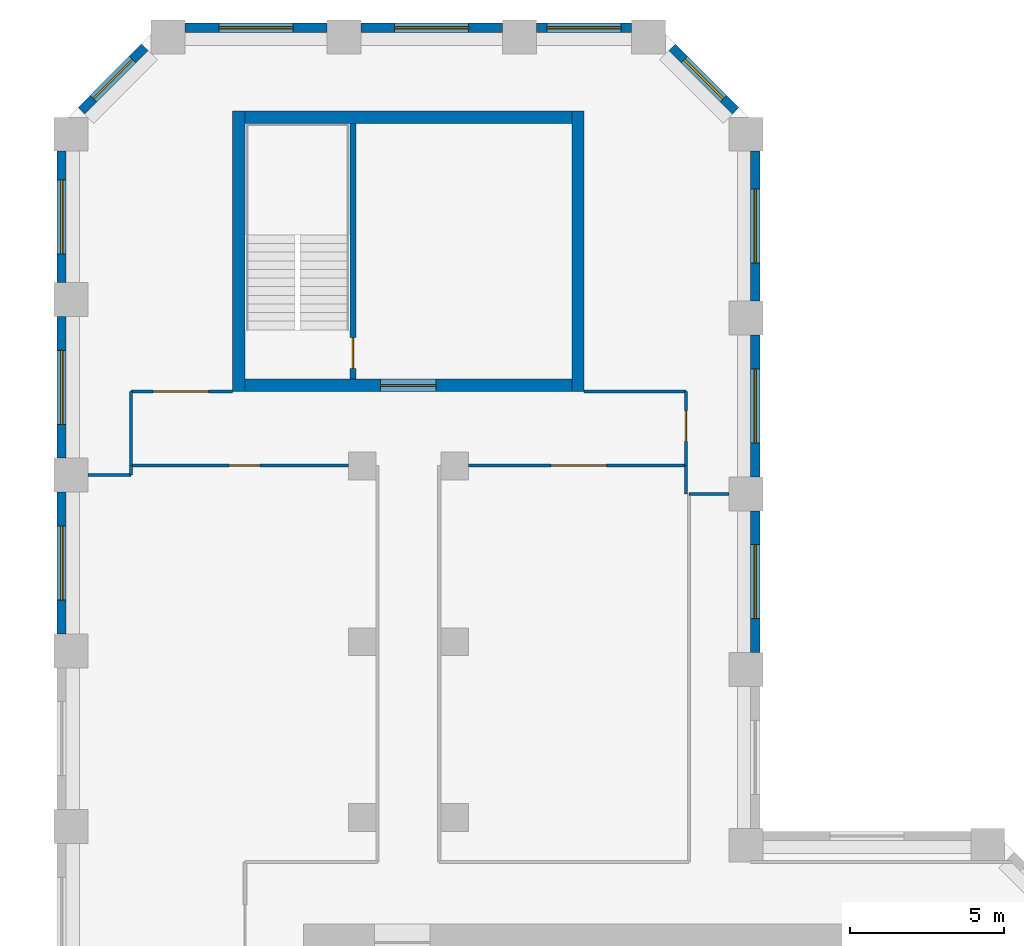
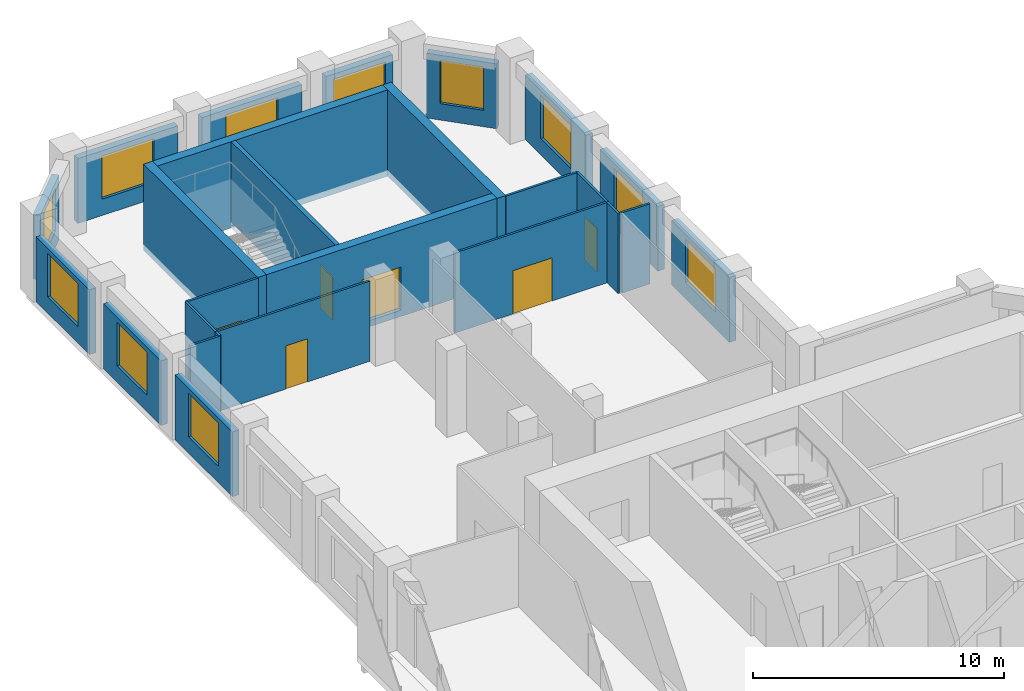
# One storey, part 8 of 10: 26 walls, 11 windows, 6 doors, 17 openings.
"""IFC4 building model written with IfcOpenShell, lengths in metres."""

import ifcopenshell
import ifcopenshell.guid

model = None  # the IFC model being written
_history = None  # IfcOwnerHistory: only IFC2X3 demands one
_inside = {}  # id of a spatial element -> (the spatial element, [elements in it])
_under = {}  # id of a project, library or spatial element -> (it, [spatial elements below it])
_declared = {}  # id of a project -> (the project, [libraries it declares])
_typed = {}  # id of a type object -> (the type object, [elements of that type])
_made_of = {}  # id of a material, layer set ... -> (it, [elements and type objects made of it])


def new_model(schema):
    """Start an empty IFC model of exactly this schema.

    Asked for "IFC4X3", IfcOpenShell would pick the latest addendum, in which some entities
    have other attributes; the version numbers below select the first issue.
    IFC2X3 requires an IfcOwnerHistory on every rooted entity: one is made here for all.
    """
    global model, _history
    if schema == "IFC4X3":
        model = ifcopenshell.file(schema_version=(4, 3, 0, 0))
    else:
        model = ifcopenshell.file(schema=schema)
    _inside.clear()
    _under.clear()
    _declared.clear()
    _typed.clear()
    _made_of.clear()
    _history = None
    if model.schema == "IFC2X3":
        org = make("IfcOrganization", Name="unknown")
        user = make(
            "IfcPersonAndOrganization",
            ThePerson=make("IfcPerson", FamilyName="unknown"),
            TheOrganization=org,
        )
        app = make(
            "IfcApplication",
            ApplicationDeveloper=org,
            Version="unknown",
            ApplicationFullName="unknown",
            ApplicationIdentifier="unknown",
        )
        _history = make(
            "IfcOwnerHistory",
            OwningUser=user,
            OwningApplication=app,
            ChangeAction="ADDED",
            CreationDate=0,
        )
    return model


def make(cls, **values):
    """One entity of the class cls with the attributes given. An attribute that is None is left unset."""
    return model.create_entity(
        cls, **{name: value for name, value in values.items() if value is not None}
    )


def rooted(cls, **values):
    """An entity with a GlobalId (a new one), such as an element, a storey or a relation."""
    return make(cls, GlobalId=ifcopenshell.guid.new(), OwnerHistory=_history, **values)


def si_unit(unit_type, name, prefix=None):
    """IfcSIUnit, for example si_unit("LENGTHUNIT", "METRE", prefix="MILLI")."""
    return make("IfcSIUnit", UnitType=unit_type, Prefix=prefix, Name=name)


def assignment(units):
    """IfcUnitAssignment: the units of a project."""
    return None if units is None else make("IfcUnitAssignment", Units=units)


def point(xyz):
    """IfcCartesianPoint."""
    return None if xyz is None else make("IfcCartesianPoint", Coordinates=xyz)


def direction(xyz):
    """IfcDirection."""
    return None if xyz is None else make("IfcDirection", DirectionRatios=xyz)


def frame(location, z_axis=None, x_axis=None):
    """IfcAxis2Placement3D, a coordinate frame: its origin and axes. An axis left out is left unset."""
    return make(
        "IfcAxis2Placement3D",
        Location=point(location),
        Axis=direction(z_axis),
        RefDirection=direction(x_axis),
    )


def frame_2d(location, x_axis=None):
    """IfcAxis2Placement2D, a coordinate frame in the plane: its origin and x axis."""
    return make(
        "IfcAxis2Placement2D", Location=point(location), RefDirection=direction(x_axis)
    )


def origin():
    """The frame at (0, 0, 0) with its axes left unset."""
    return frame((0.0, 0.0, 0.0))


def place(relative_to, where):
    """IfcLocalPlacement: puts the frame where relative to a parent placement (None: the world)."""
    return make(
        "IfcLocalPlacement", PlacementRelTo=relative_to, RelativePlacement=where
    )


def context(
    kind, dimensions, precision=None, world=None, true_north=None, identifier=None
):
    """IfcGeometricRepresentationContext, for example the 3D "Model" context."""
    return make(
        "IfcGeometricRepresentationContext",
        ContextIdentifier=identifier,
        ContextType=kind,
        CoordinateSpaceDimension=dimensions,
        Precision=precision,
        WorldCoordinateSystem=world,
        TrueNorth=true_north,
    )


def subcontext(parent, identifier, kind, view, scale=None):
    """IfcGeometricRepresentationSubContext, for example "Body" below "Model"."""
    return make(
        "IfcGeometricRepresentationSubContext",
        ContextIdentifier=identifier,
        ContextType=kind,
        ParentContext=parent,
        TargetScale=scale,
        TargetView=view,
    )


def project(units=None, contexts=None):
    """IfcProject with its units and contexts."""
    return rooted(
        "IfcProject",
        Name="project",
        RepresentationContexts=contexts,
        UnitsInContext=assignment(units),
    )


def spatial(cls, under=None, at=None, **own):
    """A site, building, storey or space (cls), placed at a placement, below another one or the project."""
    s = rooted(cls, ObjectPlacement=at, **own)
    if under is not None:
        _under.setdefault(under.id(), (under, []))[1].append(s)
    return s


def profile(cls, at=None, kind="AREA", **sizes):
    """A parametric profile (cls). Its sizes go by their IFC names, for example OverallWidth=200.0."""
    return make(cls, ProfileType=kind, Position=at, **sizes)


def rectangle(**sizes):
    """IfcRectangleProfileDef."""
    return profile("IfcRectangleProfileDef", **sizes)


def extrude(swept, where, along, depth):
    """IfcExtrudedAreaSolid: the profile swept, set in the frame where, extruded along a direction by depth."""
    return make(
        "IfcExtrudedAreaSolid",
        SweptArea=swept,
        Position=where,
        ExtrudedDirection=direction(along),
        Depth=depth,
    )


def shape(context_of_items, identifier, shape_type, items):
    """IfcShapeRepresentation: the items that make up one representation, for example the "Body"."""
    return make(
        "IfcShapeRepresentation",
        ContextOfItems=context_of_items,
        RepresentationIdentifier=identifier,
        RepresentationType=shape_type,
        Items=items,
    )


def material(Name=None, Category=None):
    """IfcMaterial."""
    return make("IfcMaterial", Name=Name, Category=Category)


def layer(
    of_material, thickness, ventilated=None, Name=None, Category=None, Priority=None
):
    """IfcMaterialLayer: one layer of a wall or slab, of a material (None: an air gap)."""
    return make(
        "IfcMaterialLayer",
        Material=of_material,
        LayerThickness=thickness,
        IsVentilated=ventilated,
        Name=Name,
        Category=Category,
        Priority=Priority,
    )


def layer_set(layers, Name=None):
    """IfcMaterialLayerSet."""
    return make("IfcMaterialLayerSet", MaterialLayers=layers, LayerSetName=Name)


def made_of(thing, what):
    """Note that an element or type object is made of a material, layer set ...; save() writes the relation."""
    if what is not None:
        _made_of.setdefault(what.id(), (what, []))[1].append(thing)
    return thing


def type_object(cls, material=None, **own):
    """A type object (cls), such as IfcWallType, which elements share."""
    return made_of(rooted(cls, **own), material)


def element(
    cls,
    number,
    at=None,
    inside=None,
    cuts=None,
    type_object=None,
    material=None,
    context=None,
    identifier="Body",
    shape_type=None,
    held_by="IfcProductDefinitionShape",
    body=None,
    shapes=None,
    **own,
):
    """One element of the class cls, such as IfcWall. Its Tag is "e" and its number.

    at: its placement. inside: the storey or other place that contains it. cuts: it is an
    opening in that element (IfcRelVoidsElement). A single representation is given by context,
    identifier, shape_type and body (its items); several are given by shapes. held_by: the class
    of the entity that holds the representations. save() writes the other relations.
    """
    e = rooted(cls, Tag="e%d" % number, ObjectPlacement=at, **own)
    if body is not None:
        shapes = [shape(context, identifier, shape_type, body)]
    if shapes is not None:
        e.Representation = make(held_by, Representations=shapes)
    if inside is not None:
        _inside.setdefault(inside.id(), (inside, []))[1].append(e)
    if cuts is not None:
        rooted(
            "IfcRelVoidsElement", RelatingBuildingElement=cuts, RelatedOpeningElement=e
        )
    if type_object is not None:
        _typed.setdefault(type_object.id(), (type_object, []))[1].append(e)
    return made_of(e, material)


def fill(opening, filler):
    """IfcRelFillsElement: the door or window that sits in an opening."""
    return rooted(
        "IfcRelFillsElement",
        RelatingOpeningElement=opening,
        RelatedBuildingElement=filler,
    )


def aggregate(whole, parts):
    """IfcRelAggregates: a whole, such as a stair, and the parts it consists of."""
    return rooted("IfcRelAggregates", RelatingObject=whole, RelatedObjects=parts)


def save(model, path):
    """Write the relations noted so far, then the file.

    IfcRelAggregates (storeys below a building ...), IfcRelContainedInSpatialStructure (elements
    in a storey), IfcRelDefinesByType, IfcRelAssociatesMaterial and IfcRelDeclares: one each for
    every whole, place, type object, material and project.
    """
    for whole, parts in _under.values():
        aggregate(whole, parts)
    for where, things in _inside.values():
        rooted(
            "IfcRelContainedInSpatialStructure",
            RelatedElements=things,
            RelatingStructure=where,
        )
    for kind, things in _typed.values():
        rooted("IfcRelDefinesByType", RelatedObjects=things, RelatingType=kind)
    for what, things in _made_of.values():
        rooted("IfcRelAssociatesMaterial", RelatedObjects=things, RelatingMaterial=what)
    for by, libraries in _declared.values():
        rooted("IfcRelDeclares", RelatingContext=by, RelatedDefinitions=libraries)
    model.write(path)


model = new_model("IFC4")

# Units and contexts
model_context = context("Model", 3, precision=1e-05, world=origin(), true_north=direction((0.0, 1.0)))
body_context = subcontext(model_context, "Body", "Model", "MODEL_VIEW")
ifc_project = project(units=[si_unit("LENGTHUNIT", "METRE"), si_unit("AREAUNIT", "SQUARE_METRE"), si_unit("VOLUMEUNIT", "CUBIC_METRE"), si_unit("PLANEANGLEUNIT", "RADIAN"), si_unit("MASSUNIT", "GRAM", prefix="KILO")], contexts=[model_context])

# Site, building, storey
site_placement = place(None, origin())
site = spatial("IfcSite", under=ifc_project, at=site_placement, CompositionType="ELEMENT")
building_placement = place(site_placement, origin())
building = spatial("IfcBuilding", under=site, at=building_placement, Name="Meshkara Civic Tower", CompositionType="ELEMENT")
storey_placement = place(building_placement, frame((0.0, 0.0, 271.800048828125)))
storey = spatial("IfcBuildingStorey", under=building, at=storey_placement, Name="L62", CompositionType="ELEMENT", Elevation=271.800048828125)

# Wall, opening, door
ifc_material_1 = material(Name="Corridor wall 100")
ifc_layer_1 = layer(ifc_material_1, 0.10009765625)
ifc_layer_set_1 = layer_set([ifc_layer_1], Name="Corridor wall 100")
wall_type_1 = type_object("IfcWallType", Name="Corridor wall 100", PredefinedType="PARTITIONING", material=ifc_layer_set_1)
wall_1_placement = place(storey_placement, frame((2.39990234375, 51.77001953125, 0.0), z_axis=(0.0, 0.0, 1.0), x_axis=(1.0, 0.0, 0.0)))
wall_1 = element("IfcWall", 1, at=wall_1_placement, inside=storey, type_object=wall_type_1, Name="L62-W001", PredefinedType="PARTITIONING", context=body_context, shape_type="SweptSolid", body=[
    extrude(rectangle(XDim=7.050048828125, YDim=0.10009765625, at=frame_2d((3.52490234375, 0.0))), origin(), (0.0, 0.0, 1.0), 3.89990234375),
])
opening_1_placement = place(wall_1_placement, frame((3.179931640625, 0.0, 0.0)))
opening_1 = element("IfcOpeningElement", 2, at=opening_1_placement, cuts=wall_1, Name="Opening L62-D021", PredefinedType="OPENING", context=body_context, shape_type="SweptSolid", body=[
    extrude(rectangle(XDim=1.0, YDim=2.10009765625, at=frame_2d((0.5, 1.050048828125))), frame((0.0, 0.06005859375, 0.0), z_axis=(0.0, -1.0, 0.0), x_axis=(1.0, 0.0, 0.0)), (0.0, 0.0, 1.0), 0.1201171875),
])
ifc_material_2 = material(Name="Door 1000 x 2100")
door_type_1 = type_object("IfcDoorType", Name="Door 1000 x 2100", OperationType="SINGLE_SWING_LEFT", PredefinedType="DOOR", material=ifc_material_2)
door_1_placement = place(opening_1_placement, origin())
door_1 = element("IfcDoor", 3, at=door_1_placement, inside=storey, type_object=door_type_1, Name="L62-D021", OperationType="SINGLE_SWING_LEFT", OverallHeight=2.10009765625, OverallWidth=1.0, PredefinedType="DOOR", context=body_context, shape_type="SweptSolid", body=[
    extrude(rectangle(XDim=1.0, YDim=2.10009765625, at=frame_2d((0.5, 1.050048828125))), frame((0.0, 0.02490234375, 0.0), z_axis=(0.0, -1.0, 0.0), x_axis=(1.0, 0.0, 0.0)), (0.0, 0.0, 1.0), 0.050048828125),
])
fill(opening_1, door_1)

# Wall
wall_2_placement = place(storey_placement, frame((2.39990234375, 54.169921875, 0.0), z_axis=(0.0, 0.0, 1.0), x_axis=(0.0, -1.0, 0.0)))
element("IfcWall", 4, at=wall_2_placement, inside=storey, type_object=wall_type_1, Name="L62-W002", PredefinedType="PARTITIONING", context=body_context, shape_type="SweptSolid", body=[
    extrude(rectangle(XDim=2.39990234375, YDim=0.10009765625, at=frame_2d((1.199951171875, 0.0))), origin(), (0.0, 0.0, 1.0), 3.89990234375),
])

# Wall, opening, door
wall_3_placement = place(storey_placement, frame((5.699951171875, 54.169921875, 0.0), z_axis=(0.0, 0.0, 1.0), x_axis=(-1.0, 0.0, 0.0)))
wall_3 = element("IfcWall", 5, at=wall_3_placement, inside=storey, type_object=wall_type_1, Name="L62-W003", PredefinedType="PARTITIONING", context=body_context, shape_type="SweptSolid", body=[
    extrude(rectangle(XDim=3.300048828125, YDim=0.10009765625, at=frame_2d((1.64990234375, 0.0))), origin(), (0.0, 0.0, 1.0), 3.89990234375),
])
opening_2_placement = place(wall_3_placement, frame((0.780029296875, 0.0, 0.0)))
opening_2 = element("IfcOpeningElement", 6, at=opening_2_placement, cuts=wall_3, Name="Opening L62-D024", PredefinedType="OPENING", context=body_context, shape_type="SweptSolid", body=[
    extrude(rectangle(XDim=1.800048828125, YDim=2.10009765625, at=frame_2d((0.89990234375, 1.050048828125))), frame((0.0, 0.06005859375, 0.0), z_axis=(0.0, -1.0, 0.0), x_axis=(1.0, 0.0, 0.0)), (0.0, 0.0, 1.0), 0.1201171875),
])
ifc_material_3 = material(Name="Door pair 1800 x 2100")
door_type_2 = type_object("IfcDoorType", Name="Door pair 1800 x 2100", OperationType="SINGLE_SWING_LEFT", PredefinedType="DOOR", material=ifc_material_3)
door_2_placement = place(opening_2_placement, origin())
door_2 = element("IfcDoor", 7, at=door_2_placement, inside=storey, type_object=door_type_2, Name="L62-D024", OperationType="DOUBLE_DOOR_SINGLE_SWING", OverallHeight=2.10009765625, OverallWidth=1.800048828125, PredefinedType="DOOR", context=body_context, shape_type="SweptSolid", body=[
    extrude(rectangle(XDim=1.800048828125, YDim=2.10009765625, at=frame_2d((0.89990234375, 1.050048828125))), frame((0.0, 0.02490234375, 0.0), z_axis=(0.0, -1.0, 0.0), x_axis=(1.0, 0.0, 0.0)), (0.0, 0.0, 1.0), 0.050048828125),
])
fill(opening_2, door_2)

wall_4_placement = place(storey_placement, frame((13.35009765625, 51.77001953125, 0.0), z_axis=(0.0, 0.0, 1.0), x_axis=(1.0, 0.0, 0.0)))
wall_4 = element("IfcWall", 8, at=wall_4_placement, inside=storey, type_object=wall_type_1, Name="L62-W015", PredefinedType="PARTITIONING", context=body_context, shape_type="SweptSolid", body=[
    extrude(rectangle(XDim=7.0498046875, YDim=0.10009765625, at=frame_2d((3.52490234375, 0.0))), origin(), (0.0, 0.0, 1.0), 3.89990234375),
])
opening_3_placement = place(wall_4_placement, frame((2.679931640625, 0.0, 0.0)))
opening_3 = element("IfcOpeningElement", 9, at=opening_3_placement, cuts=wall_4, Name="Opening L62-D022", PredefinedType="OPENING", context=body_context, shape_type="SweptSolid", body=[
    extrude(rectangle(XDim=1.800048828125, YDim=2.10009765625, at=frame_2d((0.89990234375, 1.050048828125))), frame((0.0, 0.06005859375, 0.0), z_axis=(0.0, -1.0, 0.0), x_axis=(1.0, 0.0, 0.0)), (0.0, 0.0, 1.0), 0.1201171875),
])
door_3_placement = place(opening_3_placement, origin())
door_3 = element("IfcDoor", 10, at=door_3_placement, inside=storey, type_object=door_type_2, Name="L62-D022", OperationType="DOUBLE_DOOR_SINGLE_SWING", OverallHeight=2.10009765625, OverallWidth=1.800048828125, PredefinedType="DOOR", context=body_context, shape_type="SweptSolid", body=[
    extrude(rectangle(XDim=1.800048828125, YDim=2.10009765625, at=frame_2d((0.89990234375, 1.050048828125))), frame((0.0, 0.02490234375, 0.0), z_axis=(0.0, -1.0, 0.0), x_axis=(1.0, 0.0, 0.0)), (0.0, 0.0, 1.0), 0.050048828125),
])
fill(opening_3, door_3)

wall_5_placement = place(storey_placement, frame((20.39990234375, 51.77001953125, 0.0), z_axis=(0.0, 0.0, 1.0), x_axis=(0.0, 1.0, 0.0)))
wall_5 = element("IfcWall", 11, at=wall_5_placement, inside=storey, type_object=wall_type_1, Name="L62-W016", PredefinedType="PARTITIONING", context=body_context, shape_type="SweptSolid", body=[
    extrude(rectangle(XDim=2.39990234375, YDim=0.10009765625, at=frame_2d((1.199951171875, 0.0))), origin(), (0.0, 0.0, 1.0), 3.89990234375),
])
opening_4_placement = place(wall_5_placement, frame((0.780029296875, 0.0, 0.0)))
opening_4 = element("IfcOpeningElement", 12, at=opening_4_placement, cuts=wall_5, Name="Opening L62-D023", PredefinedType="OPENING", context=body_context, shape_type="SweptSolid", body=[
    extrude(rectangle(XDim=1.0, YDim=2.10009765625, at=frame_2d((0.5, 1.050048828125))), frame((0.0, 0.06005859375, 0.0), z_axis=(0.0, -1.0, 0.0), x_axis=(1.0, 0.0, 0.0)), (0.0, 0.0, 1.0), 0.1201171875),
])
door_4_placement = place(opening_4_placement, origin())
door_4 = element("IfcDoor", 13, at=door_4_placement, inside=storey, type_object=door_type_1, Name="L62-D023", OperationType="SINGLE_SWING_LEFT", OverallHeight=2.10009765625, OverallWidth=1.0, PredefinedType="DOOR", context=body_context, shape_type="SweptSolid", body=[
    extrude(rectangle(XDim=1.0, YDim=2.10009765625, at=frame_2d((0.5, 1.050048828125))), frame((0.0, 0.02490234375, 0.0), z_axis=(0.0, -1.0, 0.0), x_axis=(1.0, 0.0, 0.0)), (0.0, 0.0, 1.0), 0.050048828125),
])
fill(opening_4, door_4)

# Walls
wall_6_placement = place(storey_placement, frame((20.39990234375, 54.169921875, 0.0), z_axis=(0.0, 0.0, 1.0), x_axis=(-1.0, 0.0, 0.0)))
element("IfcWall", 14, at=wall_6_placement, inside=storey, type_object=wall_type_1, Name="L62-W017", PredefinedType="PARTITIONING", context=body_context, shape_type="SweptSolid", body=[
    extrude(rectangle(XDim=3.2998046875, YDim=0.10009765625, at=frame_2d((1.64990234375, 0.0))), origin(), (0.0, 0.0, 1.0), 3.89990234375),
])
wall_7_placement = place(storey_placement, frame((21.800048828125, 50.85009765625, 0.0), z_axis=(0.0, 0.0, 1.0), x_axis=(-1.0, 0.0, 0.0)))
element("IfcWall", 15, at=wall_7_placement, inside=storey, type_object=wall_type_1, Name="L62-W020", PredefinedType="PARTITIONING", context=body_context, shape_type="SweptSolid", body=[
    extrude(rectangle(XDim=1.300048828125, YDim=0.10009765625, at=frame_2d((0.64990234375, 0.0))), origin(), (0.0, 0.0, 1.0), 3.89990234375),
])

# Wall, opening, window
ifc_material_4 = material(Name="Insulated infill panel with bronze anodised aluminium cladding", Category="aluminium")
ifc_layer_2 = layer(ifc_material_4, 0.300048828125)
ifc_layer_set_2 = layer_set([ifc_layer_2], Name="EXTERNAL INFILL WALL 300")
wall_type_2 = type_object("IfcWallType", Name="EXTERNAL INFILL WALL 300", PredefinedType="SOLIDWALL", material=ifc_layer_set_2)
wall_8_placement = place(storey_placement, frame((22.64990234375, 45.699951171875, 0.0), z_axis=(0.0, 0.0, 1.0), x_axis=(0.0, 1.0, 0.0)))
wall_8 = element("IfcWall", 16, at=wall_8_placement, inside=storey, type_object=wall_type_2, Name="External wall", PredefinedType="SOLIDWALL", context=body_context, shape_type="SweptSolid", body=[
    extrude(rectangle(XDim=4.60009765625, YDim=0.300048828125, at=frame_2d((2.300048828125, 0.0))), origin(), (0.0, 0.0, 1.0), 3.14990234375),
])
opening_5_placement = place(wall_8_placement, frame((1.10009765625, 0.0, 0.800048828125)))
opening_5 = element("IfcOpeningElement", 17, at=opening_5_placement, cuts=wall_8, Name="Opening W7", PredefinedType="OPENING", context=body_context, shape_type="SweptSolid", body=[
    extrude(rectangle(XDim=2.39990234375, YDim=2.10009765625, at=frame_2d((1.199951171875, 1.050048828125))), frame((0.0, 0.159912109375, 0.0), z_axis=(0.0, -1.0, 0.0), x_axis=(1.0, 0.0, 0.0)), (0.0, 0.0, 1.0), 0.320068359375),
])
ifc_material_5 = material(Name="Tinted double glazing", Category="glass")
window_type_1 = type_object("IfcWindowType", Name="WINDOW 2400x2100", PartitioningType="DOUBLE_PANEL_VERTICAL", PredefinedType="WINDOW", material=ifc_material_5)
window_1_placement = place(opening_5_placement, origin())
window_1 = element("IfcWindow", 18, at=window_1_placement, inside=storey, type_object=window_type_1, Name="Window", OverallHeight=2.10009765625, OverallWidth=2.39990234375, PartitioningType="DOUBLE_PANEL_VERTICAL", PredefinedType="WINDOW", context=body_context, shape_type="SweptSolid", body=[
    extrude(rectangle(XDim=2.39990234375, YDim=2.10009765625, at=frame_2d((1.199951171875, 1.050048828125))), frame((0.0, 0.030029296875, 0.0), z_axis=(0.0, -1.0, 0.0), x_axis=(1.0, 0.0, 0.0)), (0.0, 0.0, 1.0), 0.06005859375),
])
fill(opening_5, window_1)

wall_9_placement = place(storey_placement, frame((22.64990234375, 51.39990234375, 0.0), z_axis=(0.0, 0.0, 1.0), x_axis=(0.0, 1.0, 0.0)))
wall_9 = element("IfcWall", 19, at=wall_9_placement, inside=storey, type_object=wall_type_2, Name="External wall", PredefinedType="SOLIDWALL", context=body_context, shape_type="SweptSolid", body=[
    extrude(rectangle(XDim=4.60009765625, YDim=0.300048828125, at=frame_2d((2.300048828125, 0.0))), origin(), (0.0, 0.0, 1.0), 3.14990234375),
])
opening_6_placement = place(wall_9_placement, frame((1.10009765625, 0.0, 0.800048828125)))
opening_6 = element("IfcOpeningElement", 20, at=opening_6_placement, cuts=wall_9, Name="Opening W7", PredefinedType="OPENING", context=body_context, shape_type="SweptSolid", body=[
    extrude(rectangle(XDim=2.39990234375, YDim=2.10009765625, at=frame_2d((1.199951171875, 1.050048828125))), frame((0.0, 0.159912109375, 0.0), z_axis=(0.0, -1.0, 0.0), x_axis=(1.0, 0.0, 0.0)), (0.0, 0.0, 1.0), 0.320068359375),
])
window_2_placement = place(opening_6_placement, origin())
window_2 = element("IfcWindow", 21, at=window_2_placement, inside=storey, type_object=window_type_1, Name="Window", OverallHeight=2.10009765625, OverallWidth=2.39990234375, PartitioningType="DOUBLE_PANEL_VERTICAL", PredefinedType="WINDOW", context=body_context, shape_type="SweptSolid", body=[
    extrude(rectangle(XDim=2.39990234375, YDim=2.10009765625, at=frame_2d((1.199951171875, 1.050048828125))), frame((0.0, 0.030029296875, 0.0), z_axis=(0.0, -1.0, 0.0), x_axis=(1.0, 0.0, 0.0)), (0.0, 0.0, 1.0), 0.06005859375),
])
fill(opening_6, window_2)

wall_10_placement = place(storey_placement, frame((22.64990234375, 57.10009765625, 0.0), z_axis=(0.0, 0.0, 1.0), x_axis=(0.0, 1.0, 0.0)))
wall_10 = element("IfcWall", 22, at=wall_10_placement, inside=storey, type_object=wall_type_2, Name="External wall", PredefinedType="SOLIDWALL", context=body_context, shape_type="SweptSolid", body=[
    extrude(rectangle(XDim=4.864013671875, YDim=0.300048828125, at=frame_2d((2.43212890625, 0.0))), origin(), (0.0, 0.0, 1.0), 3.14990234375),
])
opening_7_placement = place(wall_10_placement, frame((1.23193359375, 0.0, 0.800048828125)))
opening_7 = element("IfcOpeningElement", 23, at=opening_7_placement, cuts=wall_10, Name="Opening W7", PredefinedType="OPENING", context=body_context, shape_type="SweptSolid", body=[
    extrude(rectangle(XDim=2.39990234375, YDim=2.10009765625, at=frame_2d((1.199951171875, 1.050048828125))), frame((0.0, 0.159912109375, 0.0), z_axis=(0.0, -1.0, 0.0), x_axis=(1.0, 0.0, 0.0)), (0.0, 0.0, 1.0), 0.320068359375),
])
window_3_placement = place(opening_7_placement, origin())
window_3 = element("IfcWindow", 24, at=window_3_placement, inside=storey, type_object=window_type_1, Name="Window", OverallHeight=2.10009765625, OverallWidth=2.39990234375, PartitioningType="DOUBLE_PANEL_VERTICAL", PredefinedType="WINDOW", context=body_context, shape_type="SweptSolid", body=[
    extrude(rectangle(XDim=2.39990234375, YDim=2.10009765625, at=frame_2d((1.199951171875, 1.050048828125))), frame((0.0, 0.030029296875, 0.0), z_axis=(0.0, -1.0, 0.0), x_axis=(1.0, 0.0, 0.0)), (0.0, 0.0, 1.0), 0.06005859375),
])
fill(opening_7, window_3)

wall_11_placement = place(storey_placement, frame((22.011962890625, 63.27587890625, 0.0), z_axis=(0.0, 0.0, 1.0), x_axis=(-0.707064797706, 0.707148762175, 0.0)))
wall_11 = element("IfcWall", 25, at=wall_11_placement, inside=storey, type_object=wall_type_2, Name="External wall", PredefinedType="SOLIDWALL", context=body_context, shape_type="SweptSolid", body=[
    extrude(rectangle(XDim=2.90771484375, YDim=0.300048828125, at=frame_2d((1.453857421875, 0.0))), origin(), (0.0, 0.0, 1.0), 3.14990234375),
])
opening_8_placement = place(wall_11_placement, frame((0.553955078125, 0.0, 0.800048828125)))
opening_8 = element("IfcOpeningElement", 26, at=opening_8_placement, cuts=wall_11, Name="Opening W9", PredefinedType="OPENING", context=body_context, shape_type="SweptSolid", body=[
    extrude(rectangle(XDim=1.800048828125, YDim=2.10009765625, at=frame_2d((0.89990234375, 1.050048828125))), frame((0.0, 0.159912109375, 0.0), z_axis=(0.0, -1.0, 0.0), x_axis=(1.0, 0.0, 0.0)), (0.0, 0.0, 1.0), 0.320068359375),
])
ifc_material_6 = material(Name="Tinted double glazing", Category="glass")
window_type_2 = type_object("IfcWindowType", Name="WINDOW 1800x2100", PartitioningType="DOUBLE_PANEL_VERTICAL", PredefinedType="WINDOW", material=ifc_material_6)
window_4_placement = place(opening_8_placement, origin())
window_4 = element("IfcWindow", 27, at=window_4_placement, inside=storey, type_object=window_type_2, Name="Window", OverallHeight=2.10009765625, OverallWidth=1.800048828125, PartitioningType="DOUBLE_PANEL_VERTICAL", PredefinedType="WINDOW", context=body_context, shape_type="SweptSolid", body=[
    extrude(rectangle(XDim=1.800048828125, YDim=2.10009765625, at=frame_2d((0.89990234375, 1.050048828125))), frame((0.0, 0.030029296875, 0.0), z_axis=(0.0, -1.0, 0.0), x_axis=(1.0, 0.0, 0.0)), (0.0, 0.0, 1.0), 0.06005859375),
])
fill(opening_8, window_4)

wall_12_placement = place(storey_placement, frame((18.64404296875, 65.969970703125, 0.0), z_axis=(0.0, 0.0, 1.0), x_axis=(-1.0, 0.0, 0.0)))
wall_12 = element("IfcWall", 28, at=wall_12_placement, inside=storey, type_object=wall_type_2, Name="External wall", PredefinedType="SOLIDWALL", context=body_context, shape_type="SweptSolid", body=[
    extrude(rectangle(XDim=3.088134765625, YDim=0.300048828125, at=frame_2d((1.5439453125, 0.0))), origin(), (0.0, 0.0, 1.0), 3.14990234375),
])
opening_9_placement = place(wall_12_placement, frame((0.343994140625, 0.0, 0.800048828125)))
opening_9 = element("IfcOpeningElement", 29, at=opening_9_placement, cuts=wall_12, Name="Opening W7", PredefinedType="OPENING", context=body_context, shape_type="SweptSolid", body=[
    extrude(rectangle(XDim=2.39990234375, YDim=2.10009765625, at=frame_2d((1.199951171875, 1.050048828125))), frame((0.0, 0.159912109375, 0.0), z_axis=(0.0, -1.0, 0.0), x_axis=(1.0, 0.0, 0.0)), (0.0, 0.0, 1.0), 0.320068359375),
])
window_5_placement = place(opening_9_placement, origin())
window_5 = element("IfcWindow", 30, at=window_5_placement, inside=storey, type_object=window_type_1, Name="Window", OverallHeight=2.10009765625, OverallWidth=2.39990234375, PartitioningType="DOUBLE_PANEL_VERTICAL", PredefinedType="WINDOW", context=body_context, shape_type="SweptSolid", body=[
    extrude(rectangle(XDim=2.39990234375, YDim=2.10009765625, at=frame_2d((1.199951171875, 1.050048828125))), frame((0.0, 0.030029296875, 0.0), z_axis=(0.0, -1.0, 0.0), x_axis=(1.0, 0.0, 0.0)), (0.0, 0.0, 1.0), 0.06005859375),
])
fill(opening_9, window_5)

wall_13_placement = place(storey_placement, frame((14.4560546875, 65.969970703125, 0.0), z_axis=(0.0, 0.0, 1.0), x_axis=(-1.0, 0.0, 0.0)))
wall_13 = element("IfcWall", 31, at=wall_13_placement, inside=storey, type_object=wall_type_2, Name="External wall", PredefinedType="SOLIDWALL", context=body_context, shape_type="SweptSolid", body=[
    extrude(rectangle(XDim=4.60009765625, YDim=0.300048828125, at=frame_2d((2.300048828125, 0.0))), origin(), (0.0, 0.0, 1.0), 3.14990234375),
])
opening_10_placement = place(wall_13_placement, frame((1.10009765625, 0.0, 0.800048828125)))
opening_10 = element("IfcOpeningElement", 32, at=opening_10_placement, cuts=wall_13, Name="Opening W7", PredefinedType="OPENING", context=body_context, shape_type="SweptSolid", body=[
    extrude(rectangle(XDim=2.39990234375, YDim=2.10009765625, at=frame_2d((1.199951171875, 1.050048828125))), frame((0.0, 0.159912109375, 0.0), z_axis=(0.0, -1.0, 0.0), x_axis=(1.0, 0.0, 0.0)), (0.0, 0.0, 1.0), 0.320068359375),
])
window_6_placement = place(opening_10_placement, origin())
window_6 = element("IfcWindow", 33, at=window_6_placement, inside=storey, type_object=window_type_1, Name="Window", OverallHeight=2.10009765625, OverallWidth=2.39990234375, PartitioningType="DOUBLE_PANEL_VERTICAL", PredefinedType="WINDOW", context=body_context, shape_type="SweptSolid", body=[
    extrude(rectangle(XDim=2.39990234375, YDim=2.10009765625, at=frame_2d((1.199951171875, 1.050048828125))), frame((0.0, 0.030029296875, 0.0), z_axis=(0.0, -1.0, 0.0), x_axis=(1.0, 0.0, 0.0)), (0.0, 0.0, 1.0), 0.06005859375),
])
fill(opening_10, window_6)

wall_14_placement = place(storey_placement, frame((8.756103515625, 65.969970703125, 0.0), z_axis=(0.0, 0.0, 1.0), x_axis=(-1.0, 0.0, 0.0)))
wall_14 = element("IfcWall", 34, at=wall_14_placement, inside=storey, type_object=wall_type_2, Name="External wall", PredefinedType="SOLIDWALL", context=body_context, shape_type="SweptSolid", body=[
    extrude(rectangle(XDim=4.60009765625, YDim=0.300048828125, at=frame_2d((2.300048828125, 0.0))), origin(), (0.0, 0.0, 1.0), 3.14990234375),
])
opening_11_placement = place(wall_14_placement, frame((1.10009765625, 0.0, 0.800048828125)))
opening_11 = element("IfcOpeningElement", 35, at=opening_11_placement, cuts=wall_14, Name="Opening W7", PredefinedType="OPENING", context=body_context, shape_type="SweptSolid", body=[
    extrude(rectangle(XDim=2.39990234375, YDim=2.10009765625, at=frame_2d((1.199951171875, 1.050048828125))), frame((0.0, 0.159912109375, 0.0), z_axis=(0.0, -1.0, 0.0), x_axis=(1.0, 0.0, 0.0)), (0.0, 0.0, 1.0), 0.320068359375),
])
window_7_placement = place(opening_11_placement, origin())
window_7 = element("IfcWindow", 36, at=window_7_placement, inside=storey, type_object=window_type_1, Name="Window", OverallHeight=2.10009765625, OverallWidth=2.39990234375, PartitioningType="DOUBLE_PANEL_VERTICAL", PredefinedType="WINDOW", context=body_context, shape_type="SweptSolid", body=[
    extrude(rectangle(XDim=2.39990234375, YDim=2.10009765625, at=frame_2d((1.199951171875, 1.050048828125))), frame((0.0, 0.030029296875, 0.0), z_axis=(0.0, -1.0, 0.0), x_axis=(1.0, 0.0, 0.0)), (0.0, 0.0, 1.0), 0.06005859375),
])
fill(opening_11, window_7)

wall_15_placement = place(storey_placement, frame((2.843994140625, 65.33203125, 0.0), z_axis=(0.0, 0.0, 1.0), x_axis=(-0.707064797706, -0.707148762175, 0.0)))
wall_15 = element("IfcWall", 37, at=wall_15_placement, inside=storey, type_object=wall_type_2, Name="External wall", PredefinedType="SOLIDWALL", context=body_context, shape_type="SweptSolid", body=[
    extrude(rectangle(XDim=2.90771484375, YDim=0.300048828125, at=frame_2d((1.453857421875, 0.0))), origin(), (0.0, 0.0, 1.0), 3.14990234375),
])
opening_12_placement = place(wall_15_placement, frame((0.553955078125, 0.0, 0.800048828125)))
opening_12 = element("IfcOpeningElement", 38, at=opening_12_placement, cuts=wall_15, Name="Opening W9", PredefinedType="OPENING", context=body_context, shape_type="SweptSolid", body=[
    extrude(rectangle(XDim=1.800048828125, YDim=2.10009765625, at=frame_2d((0.89990234375, 1.050048828125))), frame((0.0, 0.159912109375, 0.0), z_axis=(0.0, -1.0, 0.0), x_axis=(1.0, 0.0, 0.0)), (0.0, 0.0, 1.0), 0.320068359375),
])
window_8_placement = place(opening_12_placement, origin())
window_8 = element("IfcWindow", 39, at=window_8_placement, inside=storey, type_object=window_type_2, Name="Window", OverallHeight=2.10009765625, OverallWidth=1.800048828125, PartitioningType="DOUBLE_PANEL_VERTICAL", PredefinedType="WINDOW", context=body_context, shape_type="SweptSolid", body=[
    extrude(rectangle(XDim=1.800048828125, YDim=2.10009765625, at=frame_2d((0.89990234375, 1.050048828125))), frame((0.0, 0.030029296875, 0.0), z_axis=(0.0, -1.0, 0.0), x_axis=(1.0, 0.0, 0.0)), (0.0, 0.0, 1.0), 0.06005859375),
])
fill(opening_12, window_8)

wall_16_placement = place(storey_placement, frame((0.14990234375, 61.964111328125, 0.0), z_axis=(0.0, 0.0, 1.0), x_axis=(0.0, -1.0, 0.0)))
wall_16 = element("IfcWall", 40, at=wall_16_placement, inside=storey, type_object=wall_type_2, Name="External wall", PredefinedType="SOLIDWALL", context=body_context, shape_type="SweptSolid", body=[
    extrude(rectangle(XDim=4.259033203125, YDim=0.300048828125, at=frame_2d((2.12939453125, 0.0))), origin(), (0.0, 0.0, 1.0), 3.14990234375),
])
opening_13_placement = place(wall_16_placement, frame((0.929931640625, 0.0, 0.800048828125)))
opening_13 = element("IfcOpeningElement", 41, at=opening_13_placement, cuts=wall_16, Name="Opening W7", PredefinedType="OPENING", context=body_context, shape_type="SweptSolid", body=[
    extrude(rectangle(XDim=2.39990234375, YDim=2.10009765625, at=frame_2d((1.199951171875, 1.050048828125))), frame((0.0, 0.159912109375, 0.0), z_axis=(0.0, -1.0, 0.0), x_axis=(1.0, 0.0, 0.0)), (0.0, 0.0, 1.0), 0.320068359375),
])
window_9_placement = place(opening_13_placement, origin())
window_9 = element("IfcWindow", 42, at=window_9_placement, inside=storey, type_object=window_type_1, Name="Window", OverallHeight=2.10009765625, OverallWidth=2.39990234375, PartitioningType="DOUBLE_PANEL_VERTICAL", PredefinedType="WINDOW", context=body_context, shape_type="SweptSolid", body=[
    extrude(rectangle(XDim=2.39990234375, YDim=2.10009765625, at=frame_2d((1.199951171875, 1.050048828125))), frame((0.0, 0.030029296875, 0.0), z_axis=(0.0, -1.0, 0.0), x_axis=(1.0, 0.0, 0.0)), (0.0, 0.0, 1.0), 0.06005859375),
])
fill(opening_13, window_9)

wall_17_placement = place(storey_placement, frame((0.14990234375, 56.60498046875, 0.0), z_axis=(0.0, 0.0, 1.0), x_axis=(0.0, -1.0, 0.0)))
wall_17 = element("IfcWall", 43, at=wall_17_placement, inside=storey, type_object=wall_type_2, Name="External wall", PredefinedType="SOLIDWALL", context=body_context, shape_type="SweptSolid", body=[
    extrude(rectangle(XDim=4.60009765625, YDim=0.300048828125, at=frame_2d((2.300048828125, 0.0))), origin(), (0.0, 0.0, 1.0), 3.14990234375),
])
opening_14_placement = place(wall_17_placement, frame((1.10009765625, 0.0, 0.800048828125)))
opening_14 = element("IfcOpeningElement", 44, at=opening_14_placement, cuts=wall_17, Name="Opening W7", PredefinedType="OPENING", context=body_context, shape_type="SweptSolid", body=[
    extrude(rectangle(XDim=2.39990234375, YDim=2.10009765625, at=frame_2d((1.199951171875, 1.050048828125))), frame((0.0, 0.159912109375, 0.0), z_axis=(0.0, -1.0, 0.0), x_axis=(1.0, 0.0, 0.0)), (0.0, 0.0, 1.0), 0.320068359375),
])
window_10_placement = place(opening_14_placement, origin())
window_10 = element("IfcWindow", 45, at=window_10_placement, inside=storey, type_object=window_type_1, Name="Window", OverallHeight=2.10009765625, OverallWidth=2.39990234375, PartitioningType="DOUBLE_PANEL_VERTICAL", PredefinedType="WINDOW", context=body_context, shape_type="SweptSolid", body=[
    extrude(rectangle(XDim=2.39990234375, YDim=2.10009765625, at=frame_2d((1.199951171875, 1.050048828125))), frame((0.0, 0.030029296875, 0.0), z_axis=(0.0, -1.0, 0.0), x_axis=(1.0, 0.0, 0.0)), (0.0, 0.0, 1.0), 0.06005859375),
])
fill(opening_14, window_10)

wall_18_placement = place(storey_placement, frame((0.14990234375, 50.905029296875, 0.0), z_axis=(0.0, 0.0, 1.0), x_axis=(0.0, -1.0, 0.0)))
wall_18 = element("IfcWall", 46, at=wall_18_placement, inside=storey, type_object=wall_type_2, Name="External wall", PredefinedType="SOLIDWALL", context=body_context, shape_type="SweptSolid", body=[
    extrude(rectangle(XDim=4.60009765625, YDim=0.300048828125, at=frame_2d((2.300048828125, 0.0))), origin(), (0.0, 0.0, 1.0), 3.14990234375),
])
opening_15_placement = place(wall_18_placement, frame((1.10009765625, 0.0, 0.800048828125)))
opening_15 = element("IfcOpeningElement", 47, at=opening_15_placement, cuts=wall_18, Name="Opening W7", PredefinedType="OPENING", context=body_context, shape_type="SweptSolid", body=[
    extrude(rectangle(XDim=2.39990234375, YDim=2.10009765625, at=frame_2d((1.199951171875, 1.050048828125))), frame((0.0, 0.159912109375, 0.0), z_axis=(0.0, -1.0, 0.0), x_axis=(1.0, 0.0, 0.0)), (0.0, 0.0, 1.0), 0.320068359375),
])
window_11_placement = place(opening_15_placement, origin())
window_11 = element("IfcWindow", 48, at=window_11_placement, inside=storey, type_object=window_type_1, Name="Window", OverallHeight=2.10009765625, OverallWidth=2.39990234375, PartitioningType="DOUBLE_PANEL_VERTICAL", PredefinedType="WINDOW", context=body_context, shape_type="SweptSolid", body=[
    extrude(rectangle(XDim=2.39990234375, YDim=2.10009765625, at=frame_2d((1.199951171875, 1.050048828125))), frame((0.0, 0.030029296875, 0.0), z_axis=(0.0, -1.0, 0.0), x_axis=(1.0, 0.0, 0.0)), (0.0, 0.0, 1.0), 0.06005859375),
])
fill(opening_15, window_11)

# Walls
ifc_material_7 = material(Name="Concrete C60", Category="concrete")
ifc_layer_3 = layer(ifc_material_7, 0.39990234375)
ifc_layer_set_3 = layer_set([ifc_layer_3], Name="End core ring wall 400 C60")
wall_type_3 = type_object("IfcWallType", Name="End core ring wall 400 C60", PredefinedType="SHEAR", material=ifc_layer_set_3)
for number, where, z_axis, x_axis, name in (
    (49, (5.89990234375, 54.169921875, -0.300048828125), (0.0, 0.0, 1.0), (0.0, 1.0, 0.0), "L62-C022"),
    (50, (16.89990234375, 54.169921875, -0.300048828125), (0.0, 0.0, 1.0), (0.0, 1.0, 0.0), "L62-C023"),
):
    element("IfcWall", number, at=place(storey_placement, frame(where, z_axis=z_axis, x_axis=x_axis)), inside=storey, type_object=wall_type_3, Name=name, PredefinedType="SHEAR", context=body_context, shape_type="SweptSolid", body=[
        extrude(rectangle(XDim=9.10009765625, YDim=0.39990234375, at=frame_2d((4.550048828125, 0.0))), origin(), (0.0, 0.0, 1.0), 4.199951171875),
    ])

# Wall, opening, door
wall_19_placement = place(storey_placement, frame((6.10009765625, 54.3701171875, -0.300048828125), z_axis=(0.0, 0.0, 1.0), x_axis=(1.0, 0.0, 0.0)))
wall_19 = element("IfcWall", 51, at=wall_19_placement, inside=storey, type_object=wall_type_3, Name="L62-C024", PredefinedType="SHEAR", context=body_context, shape_type="SweptSolid", body=[
    extrude(rectangle(XDim=10.599853515625, YDim=0.39990234375, at=frame_2d((5.2998046875, 0.0))), origin(), (0.0, 0.0, 1.0), 4.199951171875),
])
opening_16_placement = place(wall_19_placement, frame((4.39990234375, 0.0, 0.300048828125)))
opening_16 = element("IfcOpeningElement", 52, at=opening_16_placement, cuts=wall_19, Name="Opening L62-K102", PredefinedType="OPENING", context=body_context, shape_type="SweptSolid", body=[
    extrude(rectangle(XDim=1.800048828125, YDim=2.10009765625, at=frame_2d((0.89990234375, 1.050048828125))), frame((0.0, 0.2099609375, 0.0), z_axis=(0.0, -1.0, 0.0), x_axis=(1.0, 0.0, 0.0)), (0.0, 0.0, 1.0), 0.419921875),
])
ifc_material_8 = material(Name="Fire-rated door leaf in steel frame", Category="steel")
door_type_3 = type_object("IfcDoorType", Name="Core double door 1800 EI 60", OperationType="DOUBLE_DOOR_SINGLE_SWING", PredefinedType="DOOR", material=ifc_material_8)
door_5_placement = place(opening_16_placement, origin())
door_5 = element("IfcDoor", 53, at=door_5_placement, inside=storey, type_object=door_type_3, Name="L62-K102", OperationType="DOUBLE_DOOR_SINGLE_SWING", OverallHeight=2.10009765625, OverallWidth=1.800048828125, PredefinedType="DOOR", context=body_context, shape_type="SweptSolid", body=[
    extrude(rectangle(XDim=1.800048828125, YDim=2.10009765625, at=frame_2d((0.89990234375, 1.050048828125))), frame((0.0, 0.02490234375, 0.0), z_axis=(0.0, -1.0, 0.0), x_axis=(1.0, 0.0, 0.0)), (0.0, 0.0, 1.0), 0.050048828125),
])
fill(opening_16, door_5)

# Walls
wall_20_placement = place(storey_placement, frame((6.10009765625, 63.070068359375, -0.300048828125), z_axis=(0.0, 0.0, 1.0), x_axis=(1.0, 0.0, 0.0)))
element("IfcWall", 54, at=wall_20_placement, inside=storey, type_object=wall_type_3, Name="L62-C025", PredefinedType="SHEAR", context=body_context, shape_type="SweptSolid", body=[
    extrude(rectangle(XDim=10.599853515625, YDim=0.39990234375, at=frame_2d((5.2998046875, 0.0))), origin(), (0.0, 0.0, 1.0), 4.199951171875),
])
ifc_material_9 = material(Name="Partition 100")
ifc_layer_4 = layer(ifc_material_9, 0.10009765625)
ifc_layer_set_4 = layer_set([ifc_layer_4], Name="Partition 100")
wall_type_4 = type_object("IfcWallType", Name="Partition 100", PredefinedType="PARTITIONING", material=ifc_layer_set_4)
wall_21_placement = place(storey_placement, frame((2.39990234375, 51.455078125, 0.0), z_axis=(0.0, 0.0, 1.0), x_axis=(-1.0, 0.0, 0.0)))
element("IfcWall", 55, at=wall_21_placement, inside=storey, type_object=wall_type_4, Name="L62-W034", PredefinedType="PARTITIONING", context=body_context, shape_type="SweptSolid", body=[
    extrude(rectangle(XDim=1.39990234375, YDim=0.10009765625, at=frame_2d((0.699951171875, 0.0))), origin(), (0.0, 0.0, 1.0), 3.89990234375),
])
wall_22_placement = place(storey_placement, frame((2.39990234375, 51.77392578125, 0.0), z_axis=(0.0, 0.0, 1.0), x_axis=(0.0, -1.0, 0.0)))
element("IfcWall", 56, at=wall_22_placement, inside=storey, type_object=wall_type_4, Name="L62-W035", PredefinedType="PARTITIONING", context=body_context, shape_type="SweptSolid", body=[
    extrude(rectangle(XDim=0.31884765625, YDim=0.10009765625, at=frame_2d((0.159423828125, 0.0))), origin(), (0.0, 0.0, 1.0), 3.89990234375),
])
wall_23_placement = place(storey_placement, frame((20.39990234375, 50.85009765625, 0.0), z_axis=(0.0, 0.0, 1.0), x_axis=(0.0, 1.0, 0.0)))
element("IfcWall", 57, at=wall_23_placement, inside=storey, type_object=wall_type_4, Name="L62-W044", PredefinedType="PARTITIONING", context=body_context, shape_type="SweptSolid", body=[
    extrude(rectangle(XDim=0.923828125, YDim=0.10009765625, at=frame_2d((0.4619140625, 0.0))), origin(), (0.0, 0.0, 1.0), 3.89990234375),
])

# Wall, opening, door
ifc_material_10 = material(Name="Concrete C40/50", Category="concrete")
ifc_layer_5 = layer(ifc_material_10, 0.199951171875)
ifc_layer_set_5 = layer_set([ifc_layer_5], Name="Stair enclosure wall 200 C40/50")
wall_type_5 = type_object("IfcWallType", Name="Stair enclosure wall 200 C40/50", PredefinedType="SOLIDWALL", material=ifc_layer_set_5)
wall_24_placement = place(storey_placement, frame((9.60009765625, 54.570068359375, 0.0), z_axis=(0.0, 0.0, 1.0), x_axis=(0.0, 1.0, 0.0)))
wall_24 = element("IfcWall", 58, at=wall_24_placement, inside=storey, type_object=wall_type_5, Name="L62-C026", PredefinedType="SOLIDWALL", context=body_context, shape_type="SweptSolid", body=[
    extrude(rectangle(XDim=8.300048828125, YDim=0.199951171875, at=frame_2d((4.14990234375, 0.0))), origin(), (0.0, 0.0, 1.0), 3.89990234375),
])
opening_17_placement = place(wall_24_placement, frame((0.35009765625, 0.0, 0.0)))
opening_17 = element("IfcOpeningElement", 59, at=opening_17_placement, cuts=wall_24, Name="Opening L62-K101", PredefinedType="OPENING", context=body_context, shape_type="SweptSolid", body=[
    extrude(rectangle(XDim=1.0, YDim=2.10009765625, at=frame_2d((0.5, 1.050048828125))), frame((0.0, 0.10986328125, 0.0), z_axis=(0.0, -1.0, 0.0), x_axis=(1.0, 0.0, 0.0)), (0.0, 0.0, 1.0), 0.219970703125),
])
ifc_material_11 = material(Name="Fire-rated door leaf in steel frame", Category="steel")
door_type_4 = type_object("IfcDoorType", Name="Stair door 1000 EI 120", OperationType="SINGLE_SWING_LEFT", PredefinedType="DOOR", material=ifc_material_11)
door_6_placement = place(opening_17_placement, origin())
door_6 = element("IfcDoor", 60, at=door_6_placement, inside=storey, type_object=door_type_4, Name="L62-K101", OperationType="SINGLE_SWING_RIGHT", OverallHeight=2.10009765625, OverallWidth=1.0, PredefinedType="DOOR", context=body_context, shape_type="SweptSolid", body=[
    extrude(rectangle(XDim=1.0, YDim=2.10009765625, at=frame_2d((0.5, 1.050048828125))), frame((0.0, 0.02490234375, 0.0), z_axis=(0.0, -1.0, 0.0), x_axis=(1.0, 0.0, 0.0)), (0.0, 0.0, 1.0), 0.050048828125),
])
fill(opening_17, door_6)

save(model, "model.ifc")
